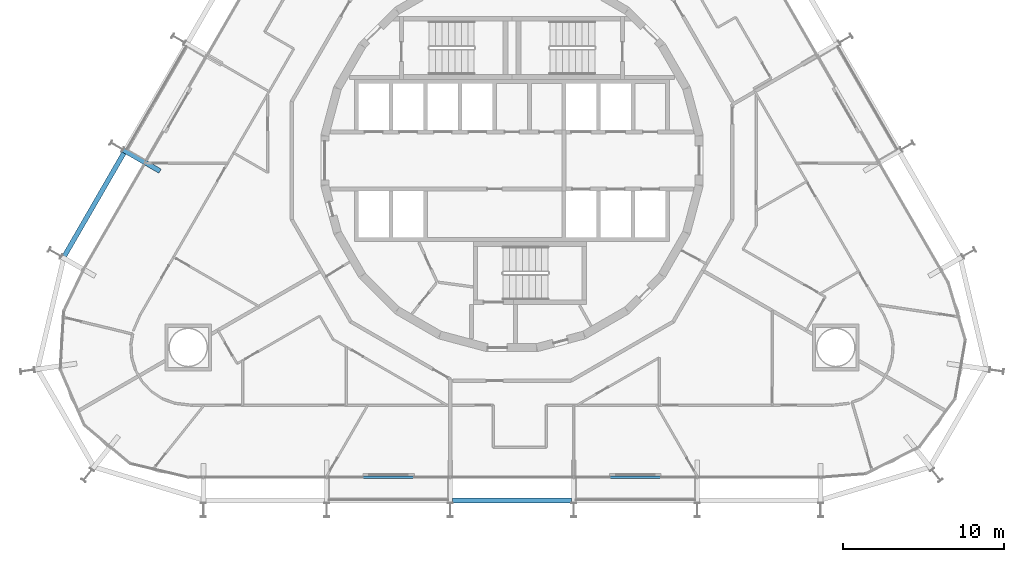
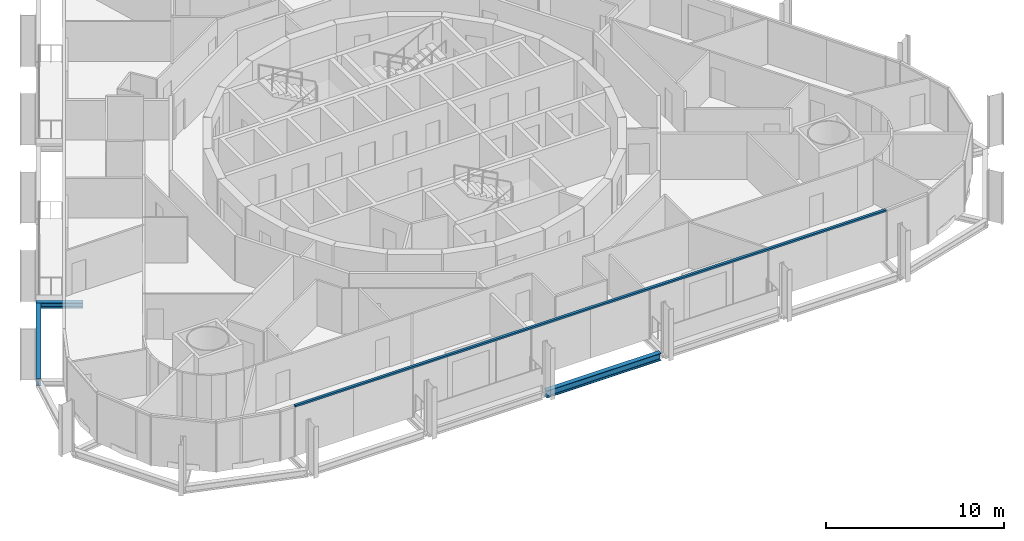
# One storey, part 4 of 19: 3 beams, 1 member, 1 element without a shape of its own.
"""IFC4 building model written with IfcOpenShell, lengths in metres."""

from ifc_helpers import new_model, si_unit, direction, frame, origin, origin_2d, place, context, subcontext, project, spatial, rectangle, i_section, extrude, material, layer, layer_set, material_profile, profile_set, type_object, element, aggregate, save


model = new_model("IFC4")

# Units and contexts
model_context = context("Model", 3, precision=1e-05, world=origin(), true_north=direction((0.0, 1.0)))
body_context = subcontext(model_context, "Body", "Model", "MODEL_VIEW")
ifc_project = project(units=[si_unit("LENGTHUNIT", "METRE"), si_unit("AREAUNIT", "SQUARE_METRE"), si_unit("VOLUMEUNIT", "CUBIC_METRE"), si_unit("PLANEANGLEUNIT", "RADIAN"), si_unit("MASSUNIT", "GRAM", prefix="KILO")], contexts=[model_context])

# Site, building, storey
site_placement = place(None, origin())
site = spatial("IfcSite", under=ifc_project, at=site_placement, CompositionType="ELEMENT")
building_placement = place(site_placement, origin())
building = spatial("IfcBuilding", under=site, at=building_placement, Name="Spindle Arch Residences", CompositionType="ELEMENT")
storey_placement = place(building_placement, frame((0.0, 0.0, 45.39990234375)))
storey = spatial("IfcBuildingStorey", under=building, at=storey_placement, Name="L09", CompositionType="ELEMENT", Elevation=45.39990234375)

# Curtain wall, member
ifc_material_1 = material(Name="Aluminium bronze unitised frame with tinted glass", Category="aluminium")
ifc_layer = layer(ifc_material_1, 0.159912109375)
ifc_layer_set = layer_set([ifc_layer], Name="CW-C typical residential unitised wall")
curtain_wall_type = type_object("IfcCurtainWallType", Name="CW-C typical residential unitised wall", PredefinedType="NOTDEFINED", material=ifc_layer_set)
curtain_wall_placement = place(storey_placement, origin())
curtain_wall = element("IfcCurtainWall", 1, at=curtain_wall_placement, inside=storey, type_object=curtain_wall_type, Name="CW-C L09 run 6", PredefinedType="NOTDEFINED")
ifc_material_2 = material(Name="Aluminium bronze anodised transom", Category="aluminium")
ifc_material_profile_1 = material_profile(ifc_material_2, rectangle(XDim=0.159912109375, YDim=0.1201171875, at=origin_2d()), Name="TR 120x160")
ifc_profile_set_1 = profile_set([ifc_material_profile_1], Name="Aluminium bronze anodised transom")
member_type = type_object("IfcMemberType", Name="Bronze transom 120x160", PredefinedType="USERDEFINED", material=ifc_profile_set_1)
member_placement = place(storey_placement, frame((-19.170166015625, -19.7099609375, 3.06005859375), z_axis=(1.0, 0.0, 0.0), x_axis=(0.0, 1.0, 0.0)))
member = element("IfcMember", 2, at=member_placement, type_object=member_type, Name="CW-C transom 00", ObjectType="TRANSOM", PredefinedType="USERDEFINED", context=body_context, shape_type="SweptSolid", body=[
    extrude(rectangle(XDim=0.159912109375, YDim=0.1201171875, at=origin_2d()), origin(), (0.0, 0.0, 1.0), 38.34033203125),
])
aggregate(curtain_wall, [member])

# Beams
ifc_material_3 = material(Name="Steel S460ML, intumescent coating R 120", Category="steel")
ifc_material_profile_2 = material_profile(ifc_material_3, i_section(OverallWidth=0.300048828125, OverallDepth=0.5, WebThickness=0.014404296875, FlangeThickness=0.028076171875, FilletRadius=0.027099609375, at=origin_2d()), Name="HEB 500")
ifc_profile_set_2 = profile_set([ifc_material_profile_2], Name="Steel S460ML, intumescent coating R 120")
beam_type_1 = type_object("IfcBeamType", Name="Exoskeleton edge beam HEB 500", PredefinedType="BEAM", material=ifc_profile_set_2)
beam_1_placement = place(storey_placement, frame((-24.13525390625, 0.482177734375, -0.6298828125), z_axis=(-0.49998923004, -0.866031621735, 0.0), x_axis=(0.866031621735, -0.49998923004, 0.0)))
element("IfcBeam", 3, at=beam_1_placement, inside=storey, type_object=beam_type_1, Name="Exoskeleton edge beam 18", PredefinedType="BEAM", context=body_context, shape_type="SweptSolid", body=[
    extrude(i_section(OverallWidth=0.300048828125, OverallDepth=0.5, WebThickness=0.014404296875, FlangeThickness=0.028076171875, FilletRadius=0.027099609375, at=origin_2d()), origin(), (0.0, 0.0, 1.0), 7.420166015625),
])
beam_2_placement = place(storey_placement, frame((-3.7099609375, -21.142822265625, -0.6298828125), z_axis=(1.0, 0.0, 0.0), x_axis=(0.0, 1.0, 0.0)))
element("IfcBeam", 4, at=beam_2_placement, inside=storey, type_object=beam_type_1, Name="Exoskeleton edge beam 24", PredefinedType="BEAM", context=body_context, shape_type="SweptSolid", body=[
    extrude(i_section(OverallWidth=0.300048828125, OverallDepth=0.5, WebThickness=0.014404296875, FlangeThickness=0.028076171875, FilletRadius=0.027099609375, at=origin_2d()), origin(), (0.0, 0.0, 1.0), 7.419921875),
])
ifc_material_4 = material(Name="Steel S460ML, intumescent coating R 120", Category="steel")
ifc_material_profile_3 = material_profile(ifc_material_4, i_section(OverallWidth=0.300048828125, OverallDepth=0.389892578125, WebThickness=0.010986328125, FlangeThickness=0.01904296875, FilletRadius=0.027099609375, at=origin_2d()), Name="HEA 400")
ifc_profile_set_3 = profile_set([ifc_material_profile_3], Name="Steel S460ML, intumescent coating R 120")
beam_type_2 = type_object("IfcBeamType", Name="Floor outrigger HEA 400", PredefinedType="BEAM", material=ifc_profile_set_3)
beam_3_placement = place(storey_placement, frame((-24.18896484375, 0.6630859375, -0.574951171875), z_axis=(0.866029095148, -0.499993606316, 0.0), x_axis=(0.499993606316, 0.866029095148, 0.0)))
element("IfcBeam", 5, at=beam_3_placement, inside=storey, type_object=beam_type_2, Name="Floor outrigger 18", PredefinedType="BEAM", context=body_context, shape_type="SweptSolid", body=[
    extrude(i_section(OverallWidth=0.300048828125, OverallDepth=0.389892578125, WebThickness=0.010986328125, FlangeThickness=0.01904296875, FilletRadius=0.027099609375, at=origin_2d()), origin(), (0.0, 0.0, 1.0), 2.64990234375),
])

save(model, "model.ifc")
